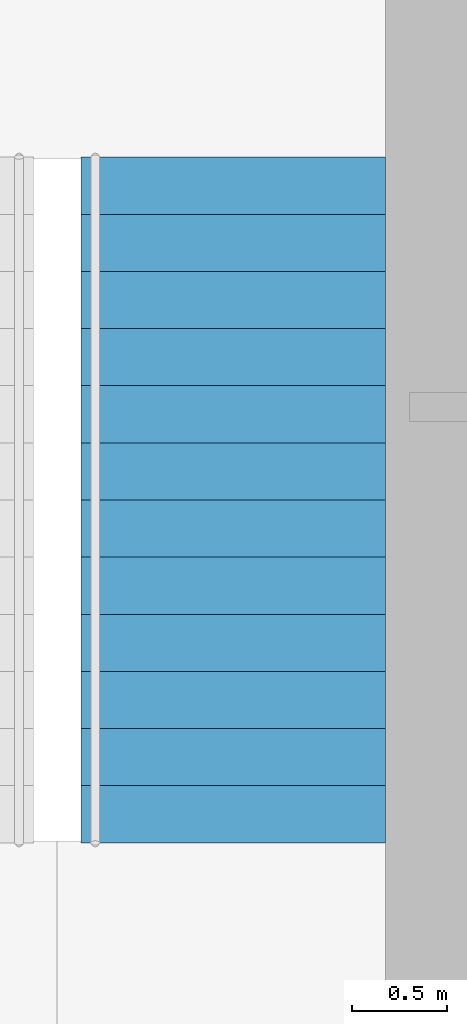
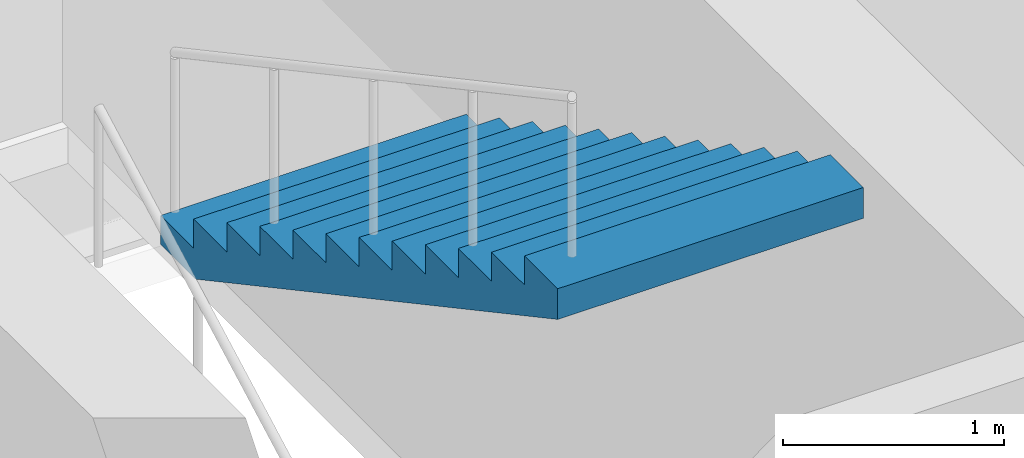
# One storey, part 11 of 16: 1 stair flight, 1 element without a shape of its own.
"""IFC4 building model written with IfcOpenShell, lengths in metres."""

from ifc_helpers import new_model, si_unit, direction, frame, origin, place, context, subcontext, project, spatial, polyline, outline, extrude, material, type_object, element, aggregate, save


model = new_model("IFC4")

# Units and contexts
model_context = context("Model", 3, precision=1e-05, world=origin(), true_north=direction((0.0, 1.0)))
body_context = subcontext(model_context, "Body", "Model", "MODEL_VIEW")
ifc_project = project(units=[si_unit("LENGTHUNIT", "METRE"), si_unit("AREAUNIT", "SQUARE_METRE"), si_unit("VOLUMEUNIT", "CUBIC_METRE"), si_unit("PLANEANGLEUNIT", "RADIAN"), si_unit("MASSUNIT", "GRAM", prefix="KILO")], contexts=[model_context])

# Site, building, storey
site_placement = place(None, origin())
site = spatial("IfcSite", under=ifc_project, at=site_placement, CompositionType="ELEMENT")
building_placement = place(site_placement, origin())
building = spatial("IfcBuilding", under=site, at=building_placement, Name="Trefoil Bronze Tower", CompositionType="ELEMENT")
storey_placement = place(building_placement, frame((0.0, 0.0, 293.10009765625)))
storey = spatial("IfcBuildingStorey", under=building, at=storey_placement, Name="L67", CompositionType="ELEMENT", Elevation=293.10009765625)

# Stair, stair flight
ifc_material_1 = material(Name="Precast concrete B80", Category="concrete")
stair_type = type_object("IfcStairType", Name="Exit stair 26 risers", PredefinedType="HALF_TURN_STAIR", material=ifc_material_1)
stair_placement = place(storey_placement, origin())
stair = element("IfcStair", 1, at=stair_placement, inside=storey, type_object=stair_type, Name="Stair ST2 L67", PredefinedType="HALF_TURN_STAIR")
ifc_material_2 = material(Name="Precast concrete B80", Category="concrete")
stair_flight_type = type_object("IfcStairFlightType", Name="Stair flight 1600", PredefinedType="STRAIGHT", material=ifc_material_2)
stair_flight_placement = place(storey_placement, frame((0.925048828125, 11.989990234375, 2.099853515625), z_axis=(0.0, 0.0, 1.0), x_axis=(0.0, -1.0, 0.0)))
stair_flight = element("IfcStairFlight", 2, at=stair_flight_placement, type_object=stair_flight_type, Name="ST2 flight 2", NumberOfRisers=13, NumberOfTreads=12, PredefinedType="STRAIGHT", RiserHeight=0.161538462, TreadLength=0.3, context=body_context, shape_type="SweptSolid", body=[
    extrude(outline(polyline([(0.0, 0.0), (0.0, 0.16162109375), (0.300048828125, 0.16162109375), (0.300048828125, 0.322998046875), (0.60009765625, 0.322998046875), (0.60009765625, 0.484619140625), (0.89990234375, 0.484619140625), (0.89990234375, 0.646240234375), (1.199951171875, 0.646240234375), (1.199951171875, 0.8076171875), (1.5, 0.8076171875), (1.5, 0.96923828125), (1.800048828125, 0.96923828125), (1.800048828125, 1.130859375), (2.10009765625, 1.130859375), (2.10009765625, 1.292236328125), (2.39990234375, 1.292236328125), (2.39990234375, 1.453857421875), (2.699951171875, 1.453857421875), (2.699951171875, 1.615478515625), (3.0, 1.615478515625), (3.0, 1.77685546875), (3.300048828125, 1.77685546875), (3.300048828125, 1.9384765625), (3.60009765625, 1.9384765625), (3.60009765625, 2.10009765625), (3.60009765625, 1.768310546875), (0.316162109375, 0.0), (0.0, 0.0)])), frame((0.0, 0.800048828125, 0.0), z_axis=(0.0, -1.0, 0.0), x_axis=(1.0, 0.0, 0.0)), (0.0, 0.0, 1.0), 1.60009765625),
])
aggregate(stair, [stair_flight])

save(model, "model.ifc")
